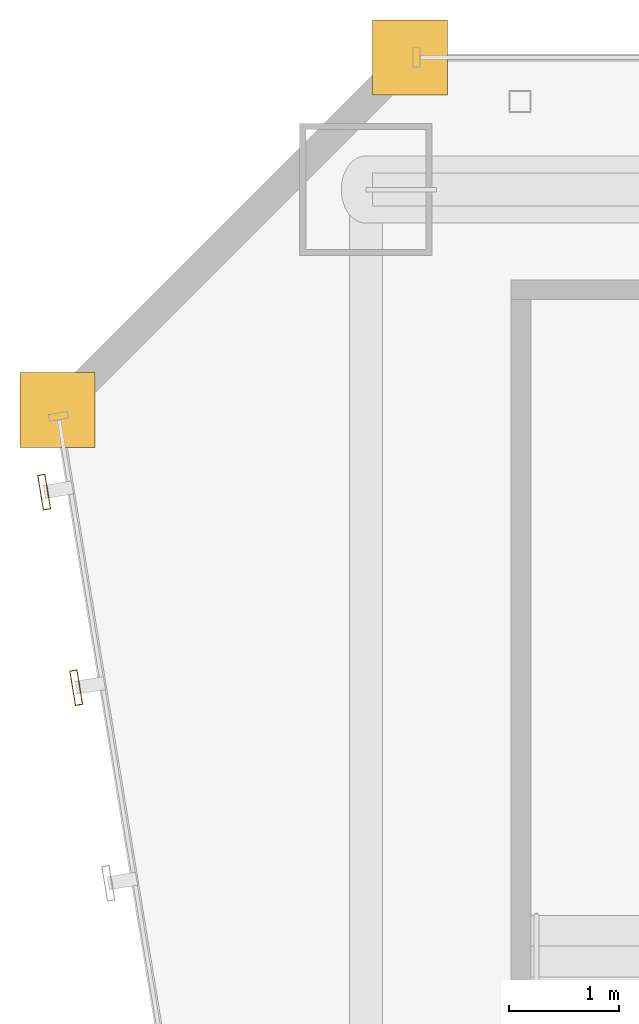
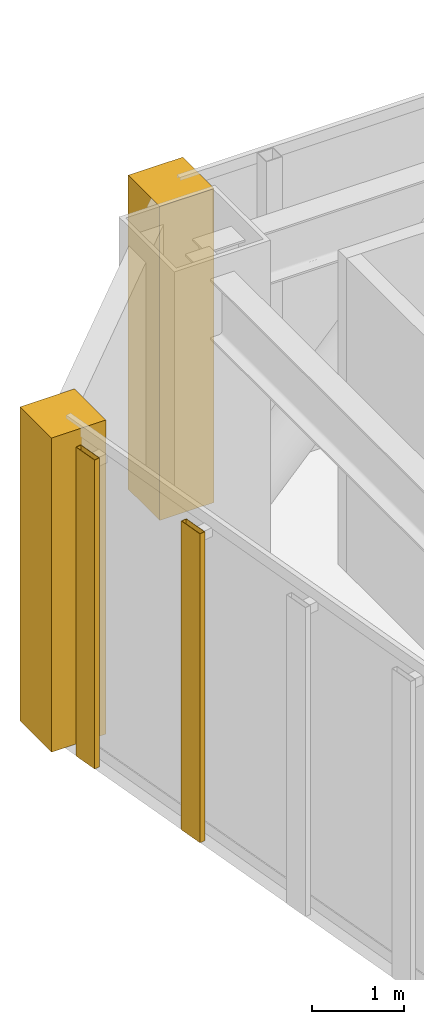
# One storey, part 48 of 49: 2 coverings, 2 shading devices.
"""IFC4 building model written with IfcOpenShell, lengths in metres."""

from ifc_helpers import new_model, si_unit, direction, frame, origin, origin_2d, place, context, subcontext, project, spatial, polyline, hollow_rectangle, outline, extrude, material, layer, layer_set, material_profile, profile_set, type_object, element, save


model = new_model("IFC4")

# Units and contexts
model_context = context("Model", 3, precision=1e-05, world=origin(), true_north=direction((0.0, 1.0)))
body_context = subcontext(model_context, "Body", "Model", "MODEL_VIEW")
ifc_project = project(units=[si_unit("LENGTHUNIT", "METRE"), si_unit("AREAUNIT", "SQUARE_METRE"), si_unit("VOLUMEUNIT", "CUBIC_METRE"), si_unit("PLANEANGLEUNIT", "RADIAN"), si_unit("MASSUNIT", "GRAM", prefix="KILO")], contexts=[model_context])

# Site, building, storey
site_placement = place(None, origin())
site = spatial("IfcSite", under=ifc_project, at=site_placement, CompositionType="ELEMENT")
building_placement = place(site_placement, origin())
building = spatial("IfcBuilding", under=site, at=building_placement, Name="Saevonmaru Cultural Tower", CompositionType="ELEMENT")
storey_placement = place(building_placement, frame((0.0, 0.0, 73.60009765625)))
storey = spatial("IfcBuildingStorey", under=building, at=storey_placement, Name="L15", CompositionType="ELEMENT", Elevation=73.60009765625)

# Coverings
ifc_material = material(Name="Satin Bronze Anodised Aluminium", Category="aluminium")
ifc_layer = layer(ifc_material, 0.679931640625, Name="Satin Bronze Anodised Aluminium")
ifc_layer_set = layer_set([ifc_layer], Name="Satin Bronze Anodised Aluminium")
covering_type = type_object("IfcCoveringType", Name="CV-CORNER-CLAD", PredefinedType="CLADDING", material=ifc_layer_set)
covering_1_placement = place(storey_placement, origin())
element("IfcCovering", 1, at=covering_1_placement, inside=storey, type_object=covering_type, Name="L15 Tower Bronze Corner Cladding Pier 11", PredefinedType="CLADDING", context=body_context, shape_type="SweptSolid", body=[
    extrude(outline(polyline([(6.860107421875, 55.659912109375), (7.5400390625, 55.659912109375), (7.5400390625, 56.340087890625), (6.860107421875, 56.340087890625), (6.860107421875, 55.659912109375)])), origin(), (0.0, 0.0, 1.0), 4.14990234375),
])
covering_2_placement = place(storey_placement, origin())
element("IfcCovering", 2, at=covering_2_placement, inside=storey, type_object=covering_type, Name="L15 Tower Bronze Corner Cladding Pier 12", PredefinedType="CLADDING", context=body_context, shape_type="SweptSolid", body=[
    extrude(outline(polyline([(3.659912109375, 52.4599609375), (4.340087890625, 52.4599609375), (4.340087890625, 53.139892578125), (3.659912109375, 53.139892578125), (3.659912109375, 52.4599609375)])), origin(), (0.0, 0.0, 1.0), 4.14990234375),
])

# Shading devices
ifc_material_profile = material_profile(ifc_material, hollow_rectangle(XDim=0.070068359375, YDim=0.320068359375, WallThickness=0.0048828125, at=origin_2d()), Name="FIN-320x70")
ifc_profile_set = profile_set([ifc_material_profile], Name="Satin Bronze Anodised Aluminium")
shading_device_type = type_object("IfcShadingDeviceType", Name="SHD-FIN-320", PredefinedType="JALOUSIE", material=ifc_profile_set)
for number, where, z_axis, x_axis, name in (
    (3, (3.879150390625, 52.05322265625, 0.0498046875), (0.0, 0.0, 1.0), (-0.986827496189, -0.161776057456, 0.0), "L15 Art Deco Sawtooth Bronze Fin E12-01"),
    (4, (4.170166015625, 50.27685546875, 0.0498046875), (0.0, 0.0, 1.0), (-0.986827496189, -0.161776057456, 0.0), "L15 Art Deco Sawtooth Bronze Fin E12-02"),
):
    element("IfcShadingDevice", number, at=place(storey_placement, frame(where, z_axis=z_axis, x_axis=x_axis)), inside=storey, type_object=shading_device_type, Name=name, PredefinedType="JALOUSIE", context=body_context, shape_type="SweptSolid", body=[
        extrude(hollow_rectangle(XDim=0.070068359375, YDim=0.320068359375, WallThickness=0.0048828125, at=origin_2d()), origin(), (0.0, 0.0, 1.0), 4.080078125),
    ])

save(model, "model.ifc")
